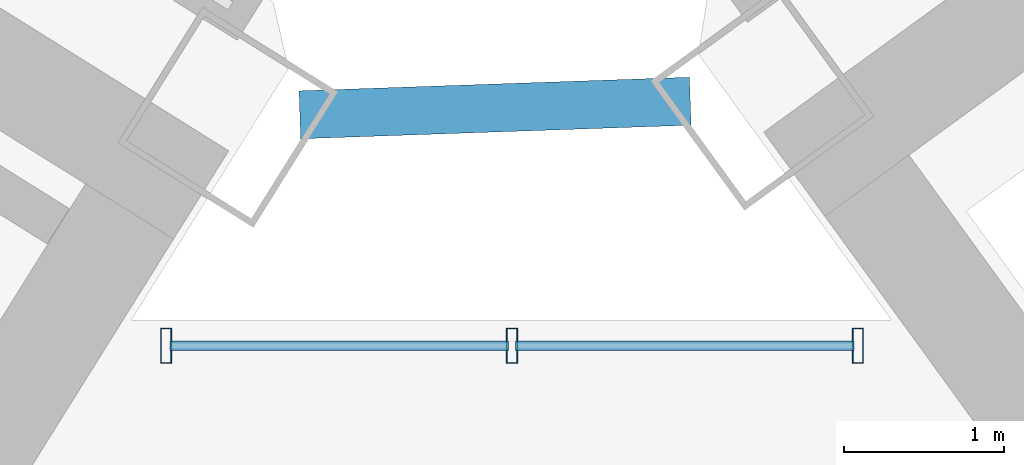
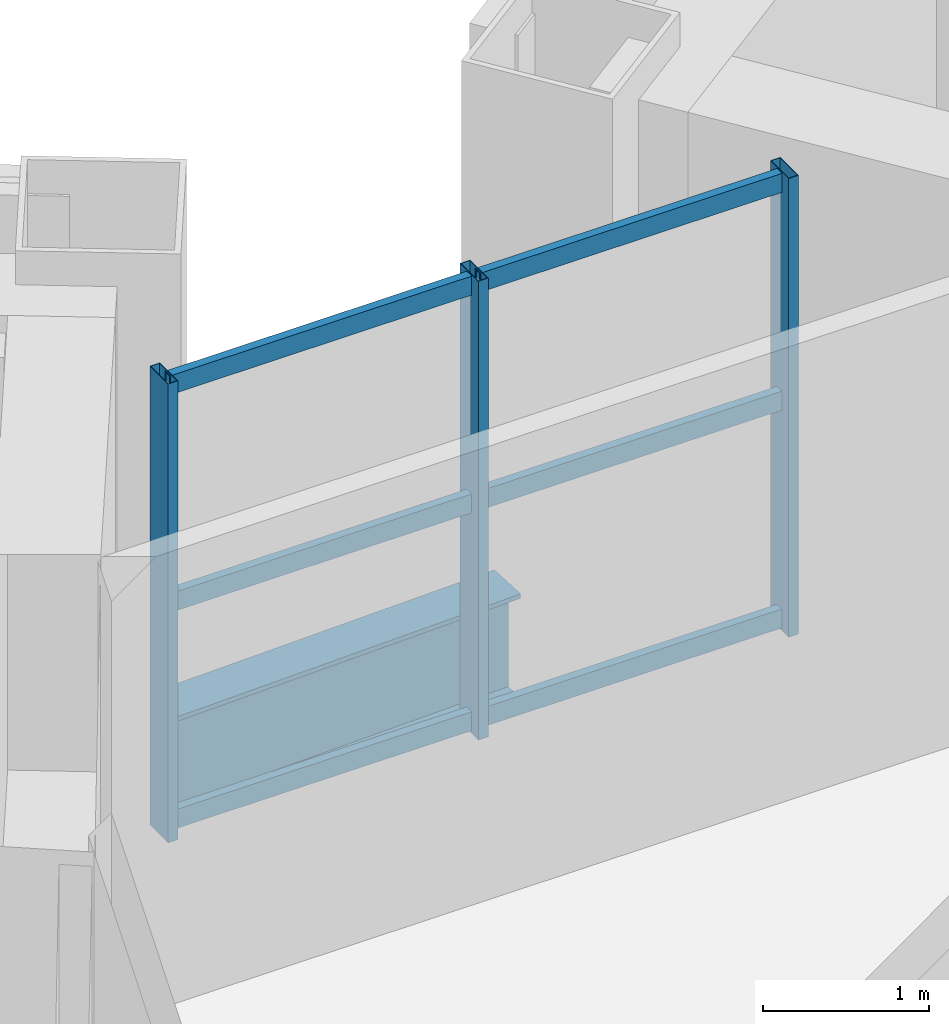
# One storey, part 11 of 28: 9 members, 1 beam, 1 element without a shape of its own.
"""IFC4 building model written with IfcOpenShell, lengths in metres."""

from ifc_helpers import new_model, si_unit, direction, frame, origin, origin_2d, place, context, subcontext, project, spatial, hollow_rectangle, i_section, extrude, source, transform, mapped, material, material_profile, profile_set, type_object, element, aggregate, save


model = new_model("IFC4")

# Units and contexts
model_context = context("Model", 3, precision=1e-05, world=origin(), true_north=direction((0.0, 1.0)))
body_context = subcontext(model_context, "Body", "Model", "MODEL_VIEW")
ifc_project = project(units=[si_unit("LENGTHUNIT", "METRE"), si_unit("AREAUNIT", "SQUARE_METRE"), si_unit("VOLUMEUNIT", "CUBIC_METRE"), si_unit("PLANEANGLEUNIT", "RADIAN"), si_unit("MASSUNIT", "GRAM", prefix="KILO")], contexts=[model_context])

# Site, building, storey
site_placement = place(None, origin())
site = spatial("IfcSite", under=ifc_project, at=site_placement, CompositionType="ELEMENT")
building_placement = place(site_placement, origin())
building = spatial("IfcBuilding", under=site, at=building_placement, Name="Tlacorven Tower", CompositionType="ELEMENT")
storey_placement = place(building_placement, frame((0.0, 0.0, 49.199951171875)))
storey = spatial("IfcBuildingStorey", under=building, at=storey_placement, Name="L12", CompositionType="ELEMENT", Elevation=49.199951171875)

# Beam
ifc_material_1 = material(Name="Steel S355J2", Category="steel")
ifc_material_profile_1 = material_profile(ifc_material_1, i_section(OverallWidth=0.300048828125, OverallDepth=0.800048828125, WebThickness=0.017578125, FlangeThickness=0.032958984375, at=origin_2d()), Name="HEB 800")
ifc_profile_set_1 = profile_set([ifc_material_profile_1], Name="Steel S355J2")
beam_type = type_object("IfcBeamType", Name="BM-POD-800", PredefinedType="BEAM", material=ifc_profile_set_1)
shared_shape_1 = source(origin(), body_context, "Body", "SweptSolid", [
    extrude(i_section(OverallWidth=0.300048828125, OverallDepth=0.800048828125, WebThickness=0.017578125, FlangeThickness=0.032958984375, at=origin_2d()), origin(), (0.0, 0.0, 1.0), 2.44287109375),
])
beam_placement = place(storey_placement, frame((41.232666015625, 24.484130859375, -0.64990234375), z_axis=(0.999391550767, 0.034878765122, 0.0), x_axis=(-0.034878765122, 0.999391550767, 0.0)))
element("IfcBeam", 1, at=beam_placement, inside=storey, type_object=beam_type, Name="L12 Knuckle Link Girder 1", PredefinedType="BEAM", context=body_context, shape_type="MappedRepresentation", body=[
    mapped(shared_shape_1, transform((0.0, 0.0, 0.0), scale=1.0)),
])

# Curtain wall, members
ifc_material_2 = material(Name="Dark solar low-E double glazing in aluminium frame", Category="aluminium")
curtain_wall_type = type_object("IfcCurtainWallType", Name="CW-TWR-LOW", PredefinedType="USERDEFINED", material=ifc_material_2)
curtain_wall_placement = place(storey_placement, origin())
curtain_wall = element("IfcCurtainWall", 2, at=curtain_wall_placement, inside=storey, type_object=curtain_wall_type, Name="L12 CW-TWR-LOW Curtain Wall 68", ObjectType="UNITISED CURTAIN WALL", PredefinedType="USERDEFINED")
ifc_material_3 = material(Name="Aluminium 6063-T6 anodised", Category="aluminium")
ifc_material_profile_2 = material_profile(ifc_material_3, hollow_rectangle(XDim=0.070068359375, YDim=0.219970703125, WallThickness=0.0048828125, at=origin_2d()), Name="ALU MULLION 70X220")
ifc_profile_set_2 = profile_set([ifc_material_profile_2], Name="Aluminium 6063-T6 anodised")
member_type_1 = type_object("IfcMemberType", Name="CWM-01", PredefinedType="MULLION", material=ifc_profile_set_2)
shared_shape_2 = source(origin(), body_context, "Body", "SweptSolid", [
    extrude(hollow_rectangle(XDim=0.070068359375, YDim=0.219970703125, WallThickness=0.0048828125, at=origin_2d()), origin(), (0.0, 0.0, 1.0), 3.380126953125),
])
member_1_placement = place(storey_placement, frame((40.396728515625, 23.0400390625, -0.02001953125), z_axis=(0.0, 0.0, 1.0), x_axis=(1.0, 0.0, 0.0)))
member_1 = element("IfcMember", 3, at=member_1_placement, type_object=member_type_1, Name="CW-L12-068 Mullion 1", PredefinedType="MULLION", context=body_context, shape_type="MappedRepresentation", body=[
    mapped(shared_shape_2, transform((0.0, 0.0, 0.0), scale=1.0)),
])
member_2_placement = place(storey_placement, frame((42.559326171875, 23.0400390625, -0.02001953125), z_axis=(0.0, 0.0, 1.0), x_axis=(1.0, 0.0, 0.0)))
member_2 = element("IfcMember", 4, at=member_2_placement, type_object=member_type_1, Name="CW-L12-068 Mullion 2", PredefinedType="MULLION", context=body_context, shape_type="MappedRepresentation", body=[
    mapped(shared_shape_2, transform((0.0, 0.0, 0.0), scale=1.0)),
])
member_3_placement = place(storey_placement, frame((44.721923828125, 23.0400390625, -0.02001953125), z_axis=(0.0, 0.0, 1.0), x_axis=(1.0, 0.0, 0.0)))
member_3 = element("IfcMember", 5, at=member_3_placement, type_object=member_type_1, Name="CW-L12-068 Mullion 3", PredefinedType="MULLION", context=body_context, shape_type="MappedRepresentation", body=[
    mapped(shared_shape_2, transform((0.0, 0.0, 0.0), scale=1.0)),
])
ifc_material_profile_3 = material_profile(ifc_material_3, hollow_rectangle(XDim=0.06005859375, YDim=0.139892578125, WallThickness=0.00390625, at=origin_2d()), Name="ALU TRANSOM 60X140")
ifc_profile_set_3 = profile_set([ifc_material_profile_3], Name="Aluminium 6063-T6 anodised")
member_type_2 = type_object("IfcMemberType", Name="CWT-02", PredefinedType="USERDEFINED", material=ifc_profile_set_3)
shared_shape_3 = source(origin(), body_context, "Body", "SweptSolid", [
    extrude(hollow_rectangle(XDim=0.06005859375, YDim=0.139892578125, WallThickness=0.00390625, at=origin_2d()), origin(), (0.0, 0.0, 1.0), 2.116455078125),
])
member_4_placement = place(storey_placement, frame((40.419921875, 23.0400390625, 0.070068359375), z_axis=(1.0, 0.0, 0.0), x_axis=(0.0, 1.0, 0.0)))
member_4 = element("IfcMember", 6, at=member_4_placement, type_object=member_type_2, Name="CW-L12-068 Transom 1", ObjectType="TRANSOM", PredefinedType="USERDEFINED", context=body_context, shape_type="MappedRepresentation", body=[
    mapped(shared_shape_3, transform((0.0, 0.0, 0.0), scale=1.0)),
])
member_5_placement = place(storey_placement, frame((40.419921875, 23.0400390625, 1.675048828125), z_axis=(1.0, 0.0, 0.0), x_axis=(0.0, 1.0, 0.0)))
member_5 = element("IfcMember", 7, at=member_5_placement, type_object=member_type_2, Name="CW-L12-068 Transom 2", ObjectType="TRANSOM", PredefinedType="USERDEFINED", context=body_context, shape_type="MappedRepresentation", body=[
    mapped(shared_shape_3, transform((0.0, 0.0, 0.0), scale=1.0)),
])
member_6_placement = place(storey_placement, frame((40.419921875, 23.0400390625, 3.280029296875), z_axis=(1.0, 0.0, 0.0), x_axis=(0.0, 1.0, 0.0)))
member_6 = element("IfcMember", 8, at=member_6_placement, type_object=member_type_2, Name="CW-L12-068 Transom 3", ObjectType="TRANSOM", PredefinedType="USERDEFINED", context=body_context, shape_type="MappedRepresentation", body=[
    mapped(shared_shape_3, transform((0.0, 0.0, 0.0), scale=1.0)),
])
shared_shape_4 = source(origin(), body_context, "Body", "SweptSolid", [
    extrude(hollow_rectangle(XDim=0.06005859375, YDim=0.139892578125, WallThickness=0.00390625, at=origin_2d()), origin(), (0.0, 0.0, 1.0), 2.11669921875),
])
member_7_placement = place(storey_placement, frame((42.582275390625, 23.0400390625, 0.070068359375), z_axis=(1.0, 0.0, 0.0), x_axis=(0.0, 1.0, 0.0)))
member_7 = element("IfcMember", 9, at=member_7_placement, type_object=member_type_2, Name="CW-L12-068 Transom 4", ObjectType="TRANSOM", PredefinedType="USERDEFINED", context=body_context, shape_type="MappedRepresentation", body=[
    mapped(shared_shape_4, transform((0.0, 0.0, 0.0), scale=1.0)),
])
member_8_placement = place(storey_placement, frame((42.582275390625, 23.0400390625, 1.675048828125), z_axis=(1.0, 0.0, 0.0), x_axis=(0.0, 1.0, 0.0)))
member_8 = element("IfcMember", 10, at=member_8_placement, type_object=member_type_2, Name="CW-L12-068 Transom 5", ObjectType="TRANSOM", PredefinedType="USERDEFINED", context=body_context, shape_type="MappedRepresentation", body=[
    mapped(shared_shape_4, transform((0.0, 0.0, 0.0), scale=1.0)),
])
member_9_placement = place(storey_placement, frame((42.582275390625, 23.0400390625, 3.280029296875), z_axis=(1.0, 0.0, 0.0), x_axis=(0.0, 1.0, 0.0)))
member_9 = element("IfcMember", 11, at=member_9_placement, type_object=member_type_2, Name="CW-L12-068 Transom 6", ObjectType="TRANSOM", PredefinedType="USERDEFINED", context=body_context, shape_type="MappedRepresentation", body=[
    mapped(shared_shape_4, transform((0.0, 0.0, 0.0), scale=1.0)),
])
aggregate(curtain_wall, [member_1, member_2, member_3, member_4, member_5, member_6, member_7, member_8, member_9])

save(model, "model.ifc")
